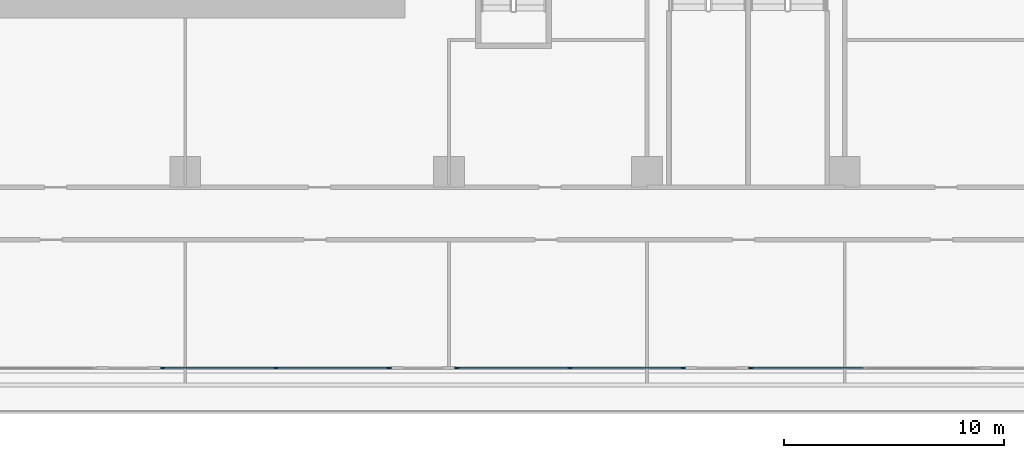
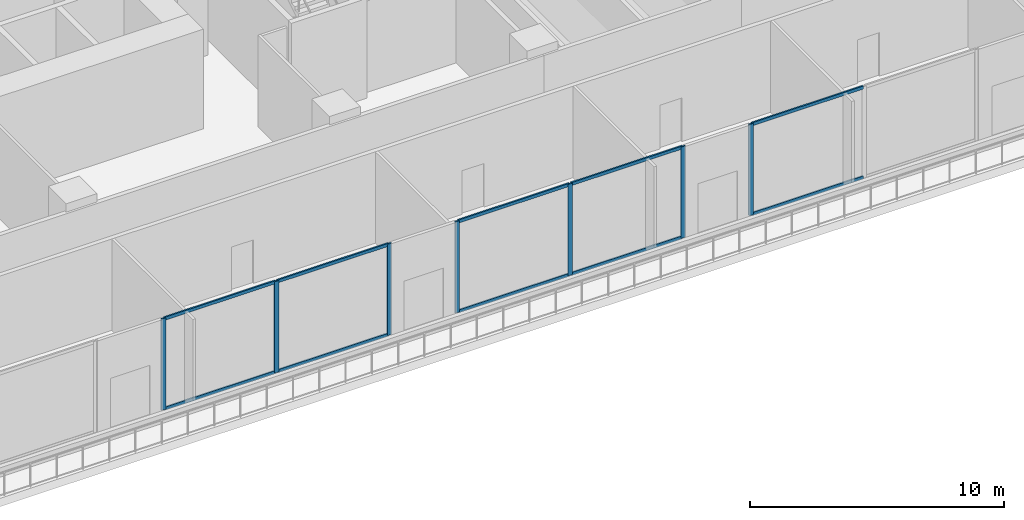
# One storey, part 3 of 26: 17 members, 3 elements without a shape of their own.
"""IFC4 building model written with IfcOpenShell, lengths in metres."""

from ifc_helpers import new_model, si_unit, direction, frame, origin, origin_2d, place, context, subcontext, project, spatial, rectangle, extrude, material, layer, layer_set, material_profile, profile_set, type_object, element, aggregate, save


model = new_model("IFC4")

# Units and contexts
model_context = context("Model", 3, precision=1e-05, world=origin(), true_north=direction((0.0, 1.0)))
body_context = subcontext(model_context, "Body", "Model", "MODEL_VIEW")
ifc_project = project(units=[si_unit("LENGTHUNIT", "METRE"), si_unit("AREAUNIT", "SQUARE_METRE"), si_unit("VOLUMEUNIT", "CUBIC_METRE"), si_unit("PLANEANGLEUNIT", "RADIAN"), si_unit("MASSUNIT", "GRAM", prefix="KILO")], contexts=[model_context])

# Site, building, storey
site_placement = place(None, origin())
site = spatial("IfcSite", under=ifc_project, at=site_placement, CompositionType="ELEMENT")
building_placement = place(site_placement, origin())
building = spatial("IfcBuilding", under=site, at=building_placement, Name="Chenar Terraces", CompositionType="ELEMENT")
storey_placement = place(building_placement, frame((0.0, 0.0, 16.800048828125)))
storey = spatial("IfcBuildingStorey", under=building, at=storey_placement, Name="L03", CompositionType="ELEMENT", Elevation=16.800048828125)

# Curtain wall, members
ifc_material_1 = material(Name="Aluminium framed glazing", Category="aluminium")
ifc_layer = layer(ifc_material_1, 0.14990234375)
ifc_layer_set = layer_set([ifc_layer], Name="Aluminium framed glazing")
curtain_wall_type = type_object("IfcCurtainWallType", Name="School curtain wall", PredefinedType="NOTDEFINED", material=ifc_layer_set)
placement = place(storey_placement, origin())
curtain_wall_1 = element("IfcCurtainWall", 1, at=placement, inside=storey, type_object=curtain_wall_type, Name="School curtain wall", PredefinedType="NOTDEFINED")
ifc_material_2 = material(Name="Aluminium", Category="aluminium")
ifc_material_profile_1 = material_profile(ifc_material_2, rectangle(XDim=0.070068359375, YDim=0.199951171875, at=origin_2d()), Name="School glazing mullion 70 x 200")
ifc_profile_set_1 = profile_set([ifc_material_profile_1], Name="Aluminium")
member_type_1 = type_object("IfcMemberType", Name="School glazing mullion 70 x 200", PredefinedType="MULLION", material=ifc_profile_set_1)
member_1_placement = place(storey_placement, frame((22.9736328125, -8.925048828125, 0.0), z_axis=(0.0, 0.0, 1.0), x_axis=(0.0, 1.0, 0.0)))
member_1 = element("IfcMember", 2, at=member_1_placement, type_object=member_type_1, Name="CW2-07c1 mullion 1", PredefinedType="MULLION", context=body_context, shape_type="SweptSolid", body=[
    extrude(rectangle(XDim=0.070068359375, YDim=0.199951171875, at=origin_2d()), origin(), (0.0, 0.0, 1.0), 4.39990234375),
])
member_2_placement = place(storey_placement, frame((28.117431640625, -8.925048828125, 0.0), z_axis=(0.0, 0.0, 1.0), x_axis=(0.0, 1.0, 0.0)))
member_2 = element("IfcMember", 3, at=member_2_placement, type_object=member_type_1, Name="CW2-07c1 mullion 2", PredefinedType="MULLION", context=body_context, shape_type="SweptSolid", body=[
    extrude(rectangle(XDim=0.070068359375, YDim=0.199951171875, at=origin_2d()), origin(), (0.0, 0.0, 1.0), 4.39990234375),
])
member_3_placement = place(storey_placement, frame((33.26123046875, -8.925048828125, 0.0), z_axis=(0.0, 0.0, 1.0), x_axis=(0.0, 1.0, 0.0)))
member_3 = element("IfcMember", 4, at=member_3_placement, type_object=member_type_1, Name="CW2-07c1 mullion 3", PredefinedType="MULLION", context=body_context, shape_type="SweptSolid", body=[
    extrude(rectangle(XDim=0.070068359375, YDim=0.199951171875, at=origin_2d()), origin(), (0.0, 0.0, 1.0), 4.39990234375),
])

curtain_wall_2 = element("IfcCurtainWall", 5, at=placement, inside=storey, type_object=curtain_wall_type, Name="School curtain wall", PredefinedType="NOTDEFINED")
member_4_placement = place(storey_placement, frame((36.356201171875, -8.925048828125, 0.0), z_axis=(0.0, 0.0, 1.0), x_axis=(0.0, 1.0, 0.0)))
member_4 = element("IfcMember", 6, at=member_4_placement, type_object=member_type_1, Name="CW2-07c2 mullion 1", PredefinedType="MULLION", context=body_context, shape_type="SweptSolid", body=[
    extrude(rectangle(XDim=0.070068359375, YDim=0.199951171875, at=origin_2d()), origin(), (0.0, 0.0, 1.0), 4.39990234375),
])
member_5_placement = place(storey_placement, frame((41.5, -8.925048828125, 0.0), z_axis=(0.0, 0.0, 1.0), x_axis=(0.0, 1.0, 0.0)))
member_5 = element("IfcMember", 7, at=member_5_placement, type_object=member_type_1, Name="CW2-07c2 mullion 2", PredefinedType="MULLION", context=body_context, shape_type="SweptSolid", body=[
    extrude(rectangle(XDim=0.070068359375, YDim=0.199951171875, at=origin_2d()), origin(), (0.0, 0.0, 1.0), 4.39990234375),
])
member_6_placement = place(storey_placement, frame((46.643798828125, -8.925048828125, 0.0), z_axis=(0.0, 0.0, 1.0), x_axis=(0.0, 1.0, 0.0)))
member_6 = element("IfcMember", 8, at=member_6_placement, type_object=member_type_1, Name="CW2-07c2 mullion 3", PredefinedType="MULLION", context=body_context, shape_type="SweptSolid", body=[
    extrude(rectangle(XDim=0.070068359375, YDim=0.199951171875, at=origin_2d()), origin(), (0.0, 0.0, 1.0), 4.39990234375),
])

# Curtain wall, member
curtain_wall_3 = element("IfcCurtainWall", 9, at=placement, inside=storey, type_object=curtain_wall_type, Name="School curtain wall", PredefinedType="NOTDEFINED")
member_7_placement = place(storey_placement, frame((49.73876953125, -8.925048828125, 0.0), z_axis=(0.0, 0.0, 1.0), x_axis=(0.0, 1.0, 0.0)))
member_7 = element("IfcMember", 10, at=member_7_placement, type_object=member_type_1, Name="CW2-07c3 mullion 1", PredefinedType="MULLION", context=body_context, shape_type="SweptSolid", body=[
    extrude(rectangle(XDim=0.070068359375, YDim=0.199951171875, at=origin_2d()), origin(), (0.0, 0.0, 1.0), 4.39990234375),
])

# Member
ifc_material_3 = material(Name="Aluminium", Category="aluminium")
ifc_material_profile_2 = material_profile(ifc_material_3, rectangle(XDim=0.070068359375, YDim=0.14990234375, at=origin_2d()), Name="School glazing transom 70 x 150")
ifc_profile_set_2 = profile_set([ifc_material_profile_2], Name="Aluminium")
member_type_2 = type_object("IfcMemberType", Name="School glazing transom 70 x 150", PredefinedType="USERDEFINED", material=ifc_profile_set_2)
member_8_placement = place(storey_placement, frame((23.008544921875, -8.925048828125, 0.034912109375), z_axis=(1.0, 0.0, 0.0), x_axis=(0.0, 1.0, 0.0)))
member_8 = element("IfcMember", 11, at=member_8_placement, type_object=member_type_2, Name="CW2-07c1 transom 1.1", ObjectType="TRANSOM", PredefinedType="USERDEFINED", context=body_context, shape_type="SweptSolid", body=[
    extrude(rectangle(XDim=0.070068359375, YDim=0.14990234375, at=origin_2d()), origin(), (0.0, 0.0, 1.0), 5.07373046875),
])

member_9_placement = place(storey_placement, frame((23.008544921875, -8.925048828125, 4.364990234375), z_axis=(1.0, 0.0, 0.0), x_axis=(0.0, 1.0, 0.0)))
member_9 = element("IfcMember", 12, at=member_9_placement, type_object=member_type_2, Name="CW2-07c1 transom 1.2", ObjectType="TRANSOM", PredefinedType="USERDEFINED", context=body_context, shape_type="SweptSolid", body=[
    extrude(rectangle(XDim=0.070068359375, YDim=0.14990234375, at=origin_2d()), origin(), (0.0, 0.0, 1.0), 5.07373046875),
])

member_10_placement = place(storey_placement, frame((28.15234375, -8.925048828125, 0.034912109375), z_axis=(1.0, 0.0, 0.0), x_axis=(0.0, 1.0, 0.0)))
member_10 = element("IfcMember", 13, at=member_10_placement, type_object=member_type_2, Name="CW2-07c1 transom 2.1", ObjectType="TRANSOM", PredefinedType="USERDEFINED", context=body_context, shape_type="SweptSolid", body=[
    extrude(rectangle(XDim=0.070068359375, YDim=0.14990234375, at=origin_2d()), origin(), (0.0, 0.0, 1.0), 5.07373046875),
])

member_11_placement = place(storey_placement, frame((28.15234375, -8.925048828125, 4.364990234375), z_axis=(1.0, 0.0, 0.0), x_axis=(0.0, 1.0, 0.0)))
member_11 = element("IfcMember", 14, at=member_11_placement, type_object=member_type_2, Name="CW2-07c1 transom 2.2", ObjectType="TRANSOM", PredefinedType="USERDEFINED", context=body_context, shape_type="SweptSolid", body=[
    extrude(rectangle(XDim=0.070068359375, YDim=0.14990234375, at=origin_2d()), origin(), (0.0, 0.0, 1.0), 5.07373046875),
])

aggregate(curtain_wall_1, [member_1, member_2, member_3, member_8, member_9, member_10, member_11])

member_12_placement = place(storey_placement, frame((36.39111328125, -8.925048828125, 0.034912109375), z_axis=(1.0, 0.0, 0.0), x_axis=(0.0, 1.0, 0.0)))
member_12 = element("IfcMember", 15, at=member_12_placement, type_object=member_type_2, Name="CW2-07c2 transom 1.1", ObjectType="TRANSOM", PredefinedType="USERDEFINED", context=body_context, shape_type="SweptSolid", body=[
    extrude(rectangle(XDim=0.070068359375, YDim=0.14990234375, at=origin_2d()), origin(), (0.0, 0.0, 1.0), 5.073974609375),
])

member_13_placement = place(storey_placement, frame((36.39111328125, -8.925048828125, 4.364990234375), z_axis=(1.0, 0.0, 0.0), x_axis=(0.0, 1.0, 0.0)))
member_13 = element("IfcMember", 16, at=member_13_placement, type_object=member_type_2, Name="CW2-07c2 transom 1.2", ObjectType="TRANSOM", PredefinedType="USERDEFINED", context=body_context, shape_type="SweptSolid", body=[
    extrude(rectangle(XDim=0.070068359375, YDim=0.14990234375, at=origin_2d()), origin(), (0.0, 0.0, 1.0), 5.073974609375),
])

member_14_placement = place(storey_placement, frame((41.534912109375, -8.925048828125, 0.034912109375), z_axis=(1.0, 0.0, 0.0), x_axis=(0.0, 1.0, 0.0)))
member_14 = element("IfcMember", 17, at=member_14_placement, type_object=member_type_2, Name="CW2-07c2 transom 2.1", ObjectType="TRANSOM", PredefinedType="USERDEFINED", context=body_context, shape_type="SweptSolid", body=[
    extrude(rectangle(XDim=0.070068359375, YDim=0.14990234375, at=origin_2d()), origin(), (0.0, 0.0, 1.0), 5.073974609375),
])

member_15_placement = place(storey_placement, frame((41.534912109375, -8.925048828125, 4.364990234375), z_axis=(1.0, 0.0, 0.0), x_axis=(0.0, 1.0, 0.0)))
member_15 = element("IfcMember", 18, at=member_15_placement, type_object=member_type_2, Name="CW2-07c2 transom 2.2", ObjectType="TRANSOM", PredefinedType="USERDEFINED", context=body_context, shape_type="SweptSolid", body=[
    extrude(rectangle(XDim=0.070068359375, YDim=0.14990234375, at=origin_2d()), origin(), (0.0, 0.0, 1.0), 5.073974609375),
])

aggregate(curtain_wall_2, [member_4, member_5, member_6, member_12, member_13, member_14, member_15])

member_16_placement = place(storey_placement, frame((49.77392578125, -8.925048828125, 0.034912109375), z_axis=(1.0, 0.0, 0.0), x_axis=(0.0, 1.0, 0.0)))
member_16 = element("IfcMember", 19, at=member_16_placement, type_object=member_type_2, Name="CW2-07c3 transom 1.1", ObjectType="TRANSOM", PredefinedType="USERDEFINED", context=body_context, shape_type="SweptSolid", body=[
    extrude(rectangle(XDim=0.070068359375, YDim=0.14990234375, at=origin_2d()), origin(), (0.0, 0.0, 1.0), 5.07373046875),
])

member_17_placement = place(storey_placement, frame((49.77392578125, -8.925048828125, 4.364990234375), z_axis=(1.0, 0.0, 0.0), x_axis=(0.0, 1.0, 0.0)))
member_17 = element("IfcMember", 20, at=member_17_placement, type_object=member_type_2, Name="CW2-07c3 transom 1.2", ObjectType="TRANSOM", PredefinedType="USERDEFINED", context=body_context, shape_type="SweptSolid", body=[
    extrude(rectangle(XDim=0.070068359375, YDim=0.14990234375, at=origin_2d()), origin(), (0.0, 0.0, 1.0), 5.07373046875),
])

aggregate(curtain_wall_3, [member_7, member_16, member_17])

save(model, "model.ifc")
